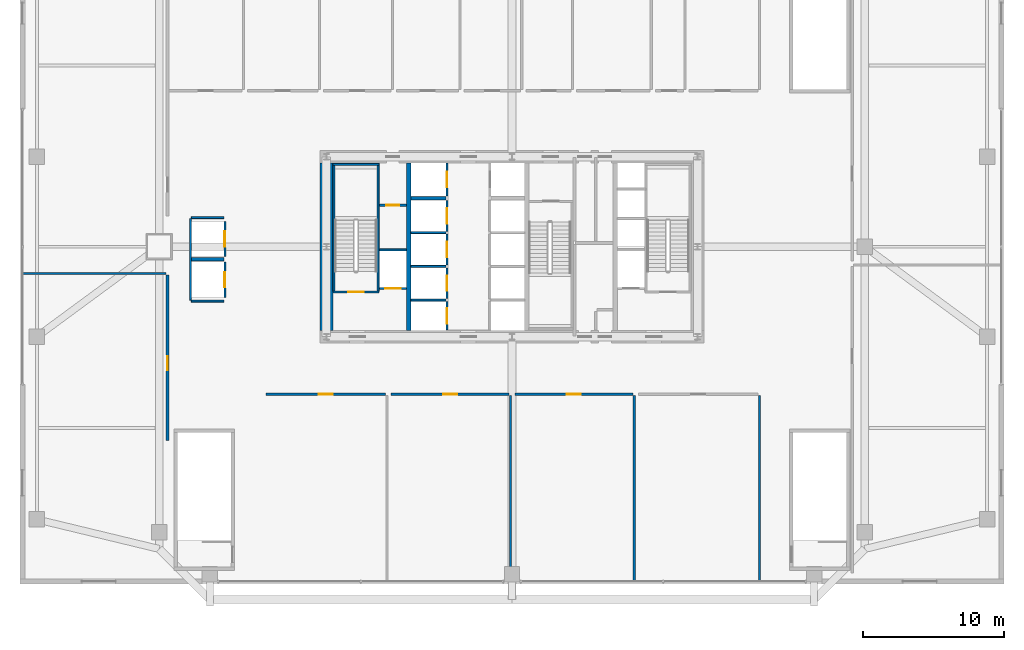
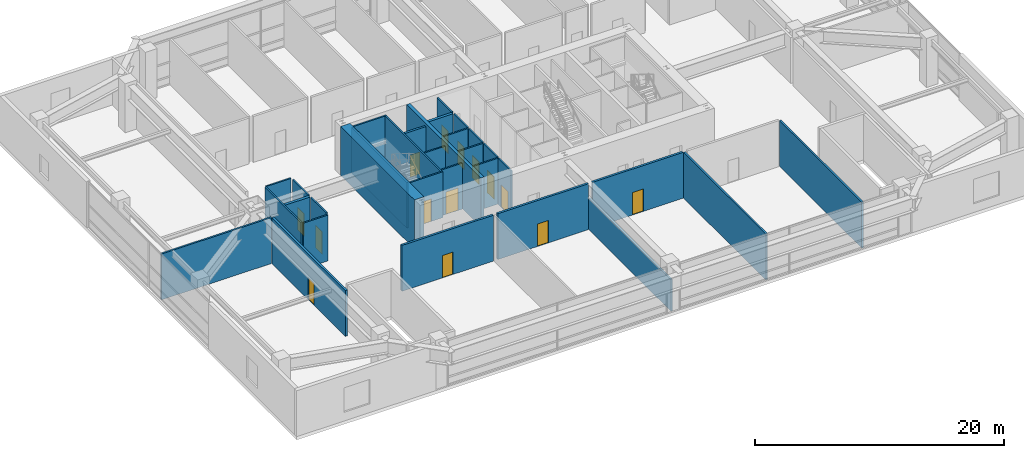
# One storey, part 29 of 34: 32 walls, 14 doors, 14 openings.
"""IFC4 building model written with IfcOpenShell, lengths in metres."""

from ifc_helpers import new_model, si_unit, direction, frame, frame_2d, origin, place, context, subcontext, project, spatial, rectangle, extrude, source, transform, mapped, material, layer, layer_set, type_object, element, fill, save


model = new_model("IFC4")

# Units and contexts
model_context = context("Model", 3, precision=1e-05, world=origin(), true_north=direction((0.0, 1.0)))
body_context = subcontext(model_context, "Body", "Model", "MODEL_VIEW")
ifc_project = project(units=[si_unit("LENGTHUNIT", "METRE"), si_unit("AREAUNIT", "SQUARE_METRE"), si_unit("VOLUMEUNIT", "CUBIC_METRE"), si_unit("PLANEANGLEUNIT", "RADIAN"), si_unit("MASSUNIT", "GRAM", prefix="KILO"), si_unit("THERMODYNAMICTEMPERATUREUNIT", "KELVIN"), si_unit("POWERUNIT", "WATT")], contexts=[model_context])

# Site, building, storey
site_placement = place(None, origin())
site = spatial("IfcSite", under=ifc_project, at=site_placement, CompositionType="ELEMENT")
building_placement = place(site_placement, origin())
building = spatial("IfcBuilding", under=site, at=building_placement, Name="Yuzanri Waterfront Tower", CompositionType="ELEMENT")
storey_placement = place(building_placement, frame((0.0, 0.0, 25.800048828125)))
storey = spatial("IfcBuildingStorey", under=building, at=storey_placement, Name="L06", CompositionType="ELEMENT", Elevation=25.800048828125)

# Wall, opening, door
ifc_material_1 = material(Name="Concrete C40", Category="concrete")
ifc_layer_1 = layer(ifc_material_1, 0.139892578125)
ifc_layer_set_1 = layer_set([ifc_layer_1], Name="Concrete C40")
wall_type_1 = type_object("IfcWallType", Name="Core Stair Liner and Hoistway Shaft Wall 140", PredefinedType="SOLIDWALL", material=ifc_layer_set_1)
wall_1_placement = place(storey_placement, frame((27.56005859375, 22.830078125, 0.0), z_axis=(0.0, 0.0, 1.0), x_axis=(1.0, 0.0, 0.0)))
wall_1 = element("IfcWall", 1, at=wall_1_placement, inside=storey, type_object=wall_type_1, Name="L06 Lift FL-01 Front Shaft Wall", PredefinedType="SOLIDWALL", context=body_context, shape_type="SweptSolid", body=[
    extrude(rectangle(XDim=1.919921875, YDim=0.139892578125, at=frame_2d((0.9599609375, 0.0))), origin(), (0.0, 0.0, 1.0), 4.5),
])
opening_1_placement = place(wall_1_placement, frame((0.409912109375, 0.0, 0.0)))
opening_1 = element("IfcOpeningElement", 2, at=opening_1_placement, cuts=wall_1, Name="Opening LD-FL-01", PredefinedType="OPENING", context=body_context, shape_type="SweptSolid", body=[
    extrude(rectangle(XDim=1.10009765625, YDim=2.199951171875, at=frame_2d((0.550048828125, 1.10009765625))), frame((0.0, 0.0849609375, 0.0), z_axis=(0.0, -1.0, 0.0), x_axis=(1.0, 0.0, 0.0)), (0.0, 0.0, 1.0), 0.169677734375),
])
ifc_material_2 = material(Name="Brushed Bronze and Stainless Steel Cab", Category="steel")
door_type_1 = type_object("IfcDoorType", Name="Center-Parting Bronze Lift Landing Sliding Door 1100x2200", OperationType="NOTDEFINED", PredefinedType="DOOR", material=ifc_material_2)
shared_shape_1 = source(origin(), body_context, "Body", "SweptSolid", [
    extrude(rectangle(XDim=1.10009765625, YDim=2.199951171875, at=frame_2d((0.550048828125, 1.10009765625))), frame((0.0, 0.02490234375, 0.0), z_axis=(0.0, -1.0, 0.0), x_axis=(1.0, 0.0, 0.0)), (0.0, 0.0, 1.0), 0.050048828125),
])
door_1_placement = place(opening_1_placement, origin())
door_1 = element("IfcDoor", 3, at=door_1_placement, inside=storey, type_object=door_type_1, Name="L06 FL-01 Lift Landing Sliding Door", OperationType="SLIDING_TO_LEFT", OverallHeight=2.199951171875, OverallWidth=1.10009765625, PredefinedType="DOOR", context=body_context, shape_type="MappedRepresentation", body=[
    mapped(shared_shape_1, transform((0.0, 0.0, 0.0), scale=1.0)),
])
fill(opening_1, door_1)

wall_2_placement = place(storey_placement, frame((32.3701171875, 19.860107421875, 0.0), z_axis=(0.0, 0.0, 1.0), x_axis=(0.0, 1.0, 0.0)))
wall_2 = element("IfcWall", 4, at=wall_2_placement, inside=storey, type_object=wall_type_1, Name="L06 Lift PL-01 Front Shaft Wall", PredefinedType="SOLIDWALL", context=body_context, shape_type="SweptSolid", body=[
    extrude(rectangle(XDim=2.039794921875, YDim=0.139892578125, at=frame_2d((1.02001953125, 0.0))), origin(), (0.0, 0.0, 1.0), 4.5),
])
opening_2_placement = place(wall_2_placement, frame((0.469970703125, 0.0, 0.0)))
opening_2 = element("IfcOpeningElement", 5, at=opening_2_placement, cuts=wall_2, Name="Opening LD-PL-01", PredefinedType="OPENING", context=body_context, shape_type="SweptSolid", body=[
    extrude(rectangle(XDim=1.10009765625, YDim=2.199951171875, at=frame_2d((0.550048828125, 1.10009765625))), frame((0.0, 0.0849609375, 0.0), z_axis=(0.0, -1.0, 0.0), x_axis=(1.0, 0.0, 0.0)), (0.0, 0.0, 1.0), 0.169677734375),
])
door_2_placement = place(opening_2_placement, origin())
door_2 = element("IfcDoor", 6, at=door_2_placement, inside=storey, type_object=door_type_1, Name="L06 PL-01 Lift Landing Sliding Door", OperationType="SLIDING_TO_LEFT", OverallHeight=2.199951171875, OverallWidth=1.10009765625, PredefinedType="DOOR", context=body_context, shape_type="MappedRepresentation", body=[
    mapped(shared_shape_1, transform((0.0, 0.0, 0.0), scale=1.0)),
])
fill(opening_2, door_2)

wall_3_placement = place(storey_placement, frame((32.3701171875, 22.10009765625, 0.0), z_axis=(0.0, 0.0, 1.0), x_axis=(0.0, 1.0, 0.0)))
wall_3 = element("IfcWall", 7, at=wall_3_placement, inside=storey, type_object=wall_type_1, Name="L06 Lift PL-02 Front Shaft Wall", PredefinedType="SOLIDWALL", context=body_context, shape_type="SweptSolid", body=[
    extrude(rectangle(XDim=2.199951171875, YDim=0.139892578125, at=frame_2d((1.10009765625, 0.0))), origin(), (0.0, 0.0, 1.0), 4.5),
])
opening_3_placement = place(wall_3_placement, frame((0.550048828125, 0.0, 0.0)))
opening_3 = element("IfcOpeningElement", 8, at=opening_3_placement, cuts=wall_3, Name="Opening LD-PL-02", PredefinedType="OPENING", context=body_context, shape_type="SweptSolid", body=[
    extrude(rectangle(XDim=1.10009765625, YDim=2.199951171875, at=frame_2d((0.550048828125, 1.10009765625))), frame((0.0, 0.0849609375, 0.0), z_axis=(0.0, -1.0, 0.0), x_axis=(1.0, 0.0, 0.0)), (0.0, 0.0, 1.0), 0.169677734375),
])
door_3_placement = place(opening_3_placement, origin())
door_3 = element("IfcDoor", 9, at=door_3_placement, inside=storey, type_object=door_type_1, Name="L06 PL-02 Lift Landing Sliding Door", OperationType="SLIDING_TO_RIGHT", OverallHeight=2.199951171875, OverallWidth=1.10009765625, PredefinedType="DOOR", context=body_context, shape_type="MappedRepresentation", body=[
    mapped(shared_shape_1, transform((0.0, 0.0, 0.0), scale=1.0)),
])
fill(opening_3, door_3)

wall_4_placement = place(storey_placement, frame((32.3701171875, 24.5, 0.0), z_axis=(0.0, 0.0, 1.0), x_axis=(0.0, 1.0, 0.0)))
wall_4 = element("IfcWall", 10, at=wall_4_placement, inside=storey, type_object=wall_type_1, Name="L06 Lift PL-03 Front Shaft Wall", PredefinedType="SOLIDWALL", context=body_context, shape_type="SweptSolid", body=[
    extrude(rectangle(XDim=2.199951171875, YDim=0.139892578125, at=frame_2d((1.10009765625, 0.0))), origin(), (0.0, 0.0, 1.0), 4.5),
])
opening_4_placement = place(wall_4_placement, frame((0.550048828125, 0.0, 0.0)))
opening_4 = element("IfcOpeningElement", 11, at=opening_4_placement, cuts=wall_4, Name="Opening LD-PL-03", PredefinedType="OPENING", context=body_context, shape_type="SweptSolid", body=[
    extrude(rectangle(XDim=1.10009765625, YDim=2.199951171875, at=frame_2d((0.550048828125, 1.10009765625))), frame((0.0, 0.0849609375, 0.0), z_axis=(0.0, -1.0, 0.0), x_axis=(1.0, 0.0, 0.0)), (0.0, 0.0, 1.0), 0.169677734375),
])
door_4_placement = place(opening_4_placement, origin())
door_4 = element("IfcDoor", 12, at=door_4_placement, inside=storey, type_object=door_type_1, Name="L06 PL-03 Lift Landing Sliding Door", OperationType="SLIDING_TO_LEFT", OverallHeight=2.199951171875, OverallWidth=1.10009765625, PredefinedType="DOOR", context=body_context, shape_type="MappedRepresentation", body=[
    mapped(shared_shape_1, transform((0.0, 0.0, 0.0), scale=1.0)),
])
fill(opening_4, door_4)

wall_5_placement = place(storey_placement, frame((32.3701171875, 26.89990234375, 0.0), z_axis=(0.0, 0.0, 1.0), x_axis=(0.0, 1.0, 0.0)))
wall_5 = element("IfcWall", 13, at=wall_5_placement, inside=storey, type_object=wall_type_1, Name="L06 Lift PL-04 Front Shaft Wall", PredefinedType="SOLIDWALL", context=body_context, shape_type="SweptSolid", body=[
    extrude(rectangle(XDim=2.2001953125, YDim=0.139892578125, at=frame_2d((1.10009765625, 0.0))), origin(), (0.0, 0.0, 1.0), 4.5),
])
opening_5_placement = place(wall_5_placement, frame((0.550048828125, 0.0, 0.0)))
opening_5 = element("IfcOpeningElement", 14, at=opening_5_placement, cuts=wall_5, Name="Opening LD-PL-04", PredefinedType="OPENING", context=body_context, shape_type="SweptSolid", body=[
    extrude(rectangle(XDim=1.10009765625, YDim=2.199951171875, at=frame_2d((0.550048828125, 1.10009765625))), frame((0.0, 0.0849609375, 0.0), z_axis=(0.0, -1.0, 0.0), x_axis=(1.0, 0.0, 0.0)), (0.0, 0.0, 1.0), 0.169677734375),
])
door_5_placement = place(opening_5_placement, origin())
door_5 = element("IfcDoor", 15, at=door_5_placement, inside=storey, type_object=door_type_1, Name="L06 PL-04 Lift Landing Sliding Door", OperationType="SLIDING_TO_RIGHT", OverallHeight=2.199951171875, OverallWidth=1.10009765625, PredefinedType="DOOR", context=body_context, shape_type="MappedRepresentation", body=[
    mapped(shared_shape_1, transform((0.0, 0.0, 0.0), scale=1.0)),
])
fill(opening_5, door_5)

wall_6_placement = place(storey_placement, frame((32.3701171875, 29.39990234375, 0.0), z_axis=(0.0, 0.0, 1.0), x_axis=(0.0, 1.0, 0.0)))
wall_6 = element("IfcWall", 16, at=wall_6_placement, inside=storey, type_object=wall_type_1, Name="L06 Lift SL-01 Front Shaft Wall", PredefinedType="SOLIDWALL", context=body_context, shape_type="SweptSolid", body=[
    extrude(rectangle(XDim=2.340087890625, YDim=0.139892578125, at=frame_2d((1.169921875, 0.0))), origin(), (0.0, 0.0, 1.0), 4.5),
])
opening_6_placement = place(wall_6_placement, frame((0.6201171875, 0.0, 0.0)))
opening_6 = element("IfcOpeningElement", 17, at=opening_6_placement, cuts=wall_6, Name="Opening LD-SL-01", PredefinedType="OPENING", context=body_context, shape_type="SweptSolid", body=[
    extrude(rectangle(XDim=1.10009765625, YDim=2.199951171875, at=frame_2d((0.550048828125, 1.10009765625))), frame((0.0, 0.0849609375, 0.0), z_axis=(0.0, -1.0, 0.0), x_axis=(1.0, 0.0, 0.0)), (0.0, 0.0, 1.0), 0.169677734375),
])
door_6_placement = place(opening_6_placement, origin())
door_6 = element("IfcDoor", 18, at=door_6_placement, inside=storey, type_object=door_type_1, Name="L06 SL-01 Lift Landing Sliding Door", OperationType="SLIDING_TO_LEFT", OverallHeight=2.199951171875, OverallWidth=1.10009765625, PredefinedType="DOOR", context=body_context, shape_type="MappedRepresentation", body=[
    mapped(shared_shape_1, transform((0.0, 0.0, 0.0), scale=1.0)),
])
fill(opening_6, door_6)

wall_7_placement = place(storey_placement, frame((16.570068359375, 22.199951171875, 0.0), z_axis=(0.0, 0.0, 1.0), x_axis=(0.0, 1.0, 0.0)))
wall_7 = element("IfcWall", 19, at=wall_7_placement, inside=storey, type_object=wall_type_1, Name="L06 Lift RL-01 Front Shaft Wall", PredefinedType="SOLIDWALL", context=body_context, shape_type="SweptSolid", body=[
    extrude(rectangle(XDim=2.5, YDim=0.139892578125, at=frame_2d((1.25, 0.0))), origin(), (0.0, 0.0, 1.0), 4.5),
])
opening_7_placement = place(wall_7_placement, frame((0.699951171875, 0.0, 0.0)))
opening_7 = element("IfcOpeningElement", 20, at=opening_7_placement, cuts=wall_7, Name="Opening LD-RL-01", PredefinedType="OPENING", context=body_context, shape_type="SweptSolid", body=[
    extrude(rectangle(XDim=1.10009765625, YDim=2.199951171875, at=frame_2d((0.550048828125, 1.10009765625))), frame((0.0, 0.0849609375, 0.0), z_axis=(0.0, -1.0, 0.0), x_axis=(1.0, 0.0, 0.0)), (0.0, 0.0, 1.0), 0.169677734375),
])
door_7_placement = place(opening_7_placement, origin())
door_7 = element("IfcDoor", 21, at=door_7_placement, inside=storey, type_object=door_type_1, Name="L06 RL-01 Lift Landing Sliding Door", OperationType="SLIDING_TO_RIGHT", OverallHeight=2.199951171875, OverallWidth=1.10009765625, PredefinedType="DOOR", context=body_context, shape_type="MappedRepresentation", body=[
    mapped(shared_shape_1, transform((0.0, 0.0, 0.0), scale=1.0)),
])
fill(opening_7, door_7)

wall_8_placement = place(storey_placement, frame((16.570068359375, 25.10009765625, 0.0), z_axis=(0.0, 0.0, 1.0), x_axis=(0.0, 1.0, 0.0)))
wall_8 = element("IfcWall", 22, at=wall_8_placement, inside=storey, type_object=wall_type_1, Name="L06 Lift RL-02 Front Shaft Wall", PredefinedType="SOLIDWALL", context=body_context, shape_type="SweptSolid", body=[
    extrude(rectangle(XDim=2.5, YDim=0.139892578125, at=frame_2d((1.25, 0.0))), origin(), (0.0, 0.0, 1.0), 4.5),
])
opening_8_placement = place(wall_8_placement, frame((0.699951171875, 0.0, 0.0)))
opening_8 = element("IfcOpeningElement", 23, at=opening_8_placement, cuts=wall_8, Name="Opening LD-RL-02", PredefinedType="OPENING", context=body_context, shape_type="SweptSolid", body=[
    extrude(rectangle(XDim=1.10009765625, YDim=2.199951171875, at=frame_2d((0.550048828125, 1.10009765625))), frame((0.0, 0.0849609375, 0.0), z_axis=(0.0, -1.0, 0.0), x_axis=(1.0, 0.0, 0.0)), (0.0, 0.0, 1.0), 0.169677734375),
])
door_8_placement = place(opening_8_placement, origin())
door_8 = element("IfcDoor", 24, at=door_8_placement, inside=storey, type_object=door_type_1, Name="L06 RL-02 Lift Landing Sliding Door", OperationType="SLIDING_TO_LEFT", OverallHeight=2.199951171875, OverallWidth=1.10009765625, PredefinedType="DOOR", context=body_context, shape_type="MappedRepresentation", body=[
    mapped(shared_shape_1, transform((0.0, 0.0, 0.0), scale=1.0)),
])
fill(opening_8, door_8)

wall_9_placement = place(storey_placement, frame((24.260009765625, 22.570068359375, 0.0), z_axis=(0.0, 0.0, 1.0), x_axis=(1.0, 0.0, 0.0)))
wall_9 = element("IfcWall", 25, at=wall_9_placement, inside=storey, type_object=wall_type_1, Name="L06 Shaft Wall STW-L06-ST-01-S", PredefinedType="SOLIDWALL", context=body_context, shape_type="SweptSolid", body=[
    extrude(rectangle(XDim=3.280029296875, YDim=0.139892578125, at=frame_2d((1.64013671875, 0.0))), origin(), (0.0, 0.0, 1.0), 4.5),
])
opening_9_placement = place(wall_9_placement, frame((1.090087890625, 0.0, 0.0)))
opening_9 = element("IfcOpeningElement", 26, at=opening_9_placement, cuts=wall_9, Name="Opening FD-1100", PredefinedType="OPENING", context=body_context, shape_type="SweptSolid", body=[
    extrude(rectangle(XDim=1.10009765625, YDim=2.199951171875, at=frame_2d((0.550048828125, 1.10009765625))), frame((0.0, 0.0849609375, 0.0), z_axis=(0.0, -1.0, 0.0), x_axis=(1.0, 0.0, 0.0)), (0.0, 0.0, 1.0), 0.169677734375),
])
ifc_material_3 = material(Name="Painted Galvanized Fire Steel", Category="steel")
door_type_2 = type_object("IfcDoorType", Name="Smoke-Proof Stair and Lobby Fire Door 1100x2200", OperationType="NOTDEFINED", PredefinedType="DOOR", material=ifc_material_3)
shared_shape_2 = source(origin(), body_context, "Body", "SweptSolid", [
    extrude(rectangle(XDim=1.10009765625, YDim=2.199951171875, at=frame_2d((0.550048828125, 1.10009765625))), frame((0.0, 0.02490234375, 0.0), z_axis=(0.0, -1.0, 0.0), x_axis=(1.0, 0.0, 0.0)), (0.0, 0.0, 1.0), 0.050048828125),
])
door_9_placement = place(opening_9_placement, origin())
door_9 = element("IfcDoor", 27, at=door_9_placement, inside=storey, type_object=door_type_2, Name="L06 Stair ST-01 Fire Door", OperationType="SINGLE_SWING_RIGHT", OverallHeight=2.199951171875, OverallWidth=1.10009765625, PredefinedType="DOOR", context=body_context, shape_type="MappedRepresentation", body=[
    mapped(shared_shape_2, transform((0.0, 0.0, 0.0), scale=1.0)),
])
fill(opening_9, door_9)

ifc_material_4 = material(Name="Autoclaved Aerated Concrete Blockwork", Category="masonry")
ifc_layer_2 = layer(ifc_material_4, 0.199951171875)
ifc_layer_set_2 = layer_set([ifc_layer_2], Name="Autoclaved Aerated Concrete Blockwork")
wall_type_2 = type_object("IfcWallType", Name="Corridor and Unit Party Fire Wall 200", PredefinedType="PARTITIONING", material=ifc_layer_set_2)
wall_10_placement = place(storey_placement, frame((27.56005859375, 28.75, 0.0), z_axis=(0.0, 0.0, 1.0), x_axis=(1.0, 0.0, 0.0)))
wall_10 = element("IfcWall", 28, at=wall_10_placement, inside=storey, type_object=wall_type_2, Name="L06 Partition CRW-L06-ERTR", PredefinedType="PARTITIONING", context=body_context, shape_type="SweptSolid", body=[
    extrude(rectangle(XDim=1.919921875, YDim=0.199951171875, at=frame_2d((0.9599609375, 0.0))), origin(), (0.0, 0.0, 1.0), 4.5),
])
opening_10_placement = place(wall_10_placement, frame((0.510009765625, 0.0, 0.0)))
opening_10 = element("IfcOpeningElement", 29, at=opening_10_placement, cuts=wall_10, Name="Opening FD-0900", PredefinedType="OPENING", context=body_context, shape_type="SweptSolid", body=[
    extrude(rectangle(XDim=0.89990234375, YDim=2.14990234375, at=frame_2d((0.449951171875, 1.074951171875))), frame((0.0, 0.11474609375, 0.0), z_axis=(0.0, -1.0, 0.0), x_axis=(1.0, 0.0, 0.0)), (0.0, 0.0, 1.0), 0.229736328125),
])
ifc_material_5 = material(Name="Painted Galvanized Fire Steel", Category="steel")
door_type_3 = type_object("IfcDoorType", Name="Riser and Service Room Fire Door 900x2150", OperationType="NOTDEFINED", PredefinedType="DOOR", material=ifc_material_5)
shared_shape_3 = source(origin(), body_context, "Body", "SweptSolid", [
    extrude(rectangle(XDim=0.89990234375, YDim=2.14990234375, at=frame_2d((0.449951171875, 1.074951171875))), frame((0.0, 0.02490234375, 0.0), z_axis=(0.0, -1.0, 0.0), x_axis=(1.0, 0.0, 0.0)), (0.0, 0.0, 1.0), 0.050048828125),
])
door_10_placement = place(opening_10_placement, origin())
door_10 = element("IfcDoor", 30, at=door_10_placement, inside=storey, type_object=door_type_3, Name="L06 Electrical Riser Door", OperationType="SINGLE_SWING_RIGHT", OverallHeight=2.14990234375, OverallWidth=0.89990234375, PredefinedType="DOOR", context=body_context, shape_type="MappedRepresentation", body=[
    mapped(shared_shape_3, transform((0.0, 0.0, 0.0), scale=1.0)),
])
fill(opening_10, door_10)

wall_11_placement = place(storey_placement, frame((19.5, 15.300048828125, 0.0), z_axis=(0.0, 0.0, 1.0), x_axis=(1.0, 0.0, 0.0)))
wall_11 = element("IfcWall", 31, at=wall_11_placement, inside=storey, type_object=wall_type_2, Name="L06 Partition PRW-L06-027-N", PredefinedType="PARTITIONING", context=body_context, shape_type="SweptSolid", body=[
    extrude(rectangle(XDim=8.5, YDim=0.199951171875, at=frame_2d((4.25, 0.0))), origin(), (0.0, 0.0, 1.0), 4.5),
])
opening_11_placement = place(wall_11_placement, frame((3.75, 0.0, 0.0)))
opening_11 = element("IfcOpeningElement", 32, at=opening_11_placement, cuts=wall_11, Name="Opening FD-1000", PredefinedType="OPENING", context=body_context, shape_type="SweptSolid", body=[
    extrude(rectangle(XDim=1.0, YDim=2.199951171875, at=frame_2d((0.5, 1.10009765625))), frame((0.0, 0.11474609375, 0.0), z_axis=(0.0, -1.0, 0.0), x_axis=(1.0, 0.0, 0.0)), (0.0, 0.0, 1.0), 0.229736328125),
])
ifc_material_6 = material(Name="Engineered Oak Fire-Rated Timber", Category="wood")
door_type_4 = type_object("IfcDoorType", Name="Guestroom and Apartment Entrance Fire Door 1000x2200", OperationType="NOTDEFINED", PredefinedType="DOOR", material=ifc_material_6)
shared_shape_4 = source(origin(), body_context, "Body", "SweptSolid", [
    extrude(rectangle(XDim=1.0, YDim=2.199951171875, at=frame_2d((0.5, 1.10009765625))), frame((0.0, 0.02490234375, 0.0), z_axis=(0.0, -1.0, 0.0), x_axis=(1.0, 0.0, 0.0)), (0.0, 0.0, 1.0), 0.050048828125),
])
door_11_placement = place(opening_11_placement, origin())
door_11 = element("IfcDoor", 33, at=door_11_placement, inside=storey, type_object=door_type_4, Name="L06 Executive Lecture Hall", OperationType="SINGLE_SWING_LEFT", OverallHeight=2.199951171875, OverallWidth=1.0, PredefinedType="DOOR", context=body_context, shape_type="MappedRepresentation", body=[
    mapped(shared_shape_4, transform((0.0, 0.0, 0.0), scale=1.0)),
])
fill(opening_11, door_11)

wall_12_placement = place(storey_placement, frame((28.39990234375, 15.300048828125, 0.0), z_axis=(0.0, 0.0, 1.0), x_axis=(1.0, 0.0, 0.0)))
wall_12 = element("IfcWall", 34, at=wall_12_placement, inside=storey, type_object=wall_type_2, Name="L06 Partition PRW-L06-028-N", PredefinedType="PARTITIONING", context=body_context, shape_type="SweptSolid", body=[
    extrude(rectangle(XDim=8.400146484375, YDim=0.199951171875, at=frame_2d((4.2001953125, 0.0))), origin(), (0.0, 0.0, 1.0), 4.5),
])
opening_12_placement = place(wall_12_placement, frame((3.699951171875, 0.0, 0.0)))
opening_12 = element("IfcOpeningElement", 35, at=opening_12_placement, cuts=wall_12, Name="Opening FD-1000", PredefinedType="OPENING", context=body_context, shape_type="SweptSolid", body=[
    extrude(rectangle(XDim=1.0, YDim=2.199951171875, at=frame_2d((0.5, 1.10009765625))), frame((0.0, 0.11474609375, 0.0), z_axis=(0.0, -1.0, 0.0), x_axis=(1.0, 0.0, 0.0)), (0.0, 0.0, 1.0), 0.229736328125),
])
door_12_placement = place(opening_12_placement, origin())
door_12 = element("IfcDoor", 36, at=door_12_placement, inside=storey, type_object=door_type_4, Name="L06 Yangtze Boardroom", OperationType="SINGLE_SWING_RIGHT", OverallHeight=2.199951171875, OverallWidth=1.0, PredefinedType="DOOR", context=body_context, shape_type="MappedRepresentation", body=[
    mapped(shared_shape_4, transform((0.0, 0.0, 0.0), scale=1.0)),
])
fill(opening_12, door_12)

wall_13_placement = place(storey_placement, frame((37.199951171875, 15.300048828125, 0.0), z_axis=(0.0, 0.0, 1.0), x_axis=(1.0, 0.0, 0.0)))
wall_13 = element("IfcWall", 37, at=wall_13_placement, inside=storey, type_object=wall_type_2, Name="L06 Partition PRW-L06-029-N", PredefinedType="PARTITIONING", context=body_context, shape_type="SweptSolid", body=[
    extrude(rectangle(XDim=8.400146484375, YDim=0.199951171875, at=frame_2d((4.2001953125, 0.0))), origin(), (0.0, 0.0, 1.0), 4.5),
])
opening_13_placement = place(wall_13_placement, frame((3.699951171875, 0.0, 0.0)))
opening_13 = element("IfcOpeningElement", 38, at=opening_13_placement, cuts=wall_13, Name="Opening FD-1000", PredefinedType="OPENING", context=body_context, shape_type="SweptSolid", body=[
    extrude(rectangle(XDim=1.0, YDim=2.199951171875, at=frame_2d((0.5, 1.10009765625))), frame((0.0, 0.11474609375, 0.0), z_axis=(0.0, -1.0, 0.0), x_axis=(1.0, 0.0, 0.0)), (0.0, 0.0, 1.0), 0.229736328125),
])
door_13_placement = place(opening_13_placement, origin())
door_13 = element("IfcDoor", 39, at=door_13_placement, inside=storey, type_object=door_type_4, Name="L06 Jialing Boardroom", OperationType="SINGLE_SWING_LEFT", OverallHeight=2.199951171875, OverallWidth=1.0, PredefinedType="DOOR", context=body_context, shape_type="MappedRepresentation", body=[
    mapped(shared_shape_4, transform((0.0, 0.0, 0.0), scale=1.0)),
])
fill(opening_13, door_13)

wall_14_placement = place(storey_placement, frame((12.5, 12.0, 0.0), z_axis=(0.0, 0.0, 1.0), x_axis=(0.0, 1.0, 0.0)))
wall_14 = element("IfcWall", 40, at=wall_14_placement, inside=storey, type_object=wall_type_2, Name="L06 Partition PRW-L06-031-E", PredefinedType="PARTITIONING", context=body_context, shape_type="SweptSolid", body=[
    extrude(rectangle(XDim=11.800048828125, YDim=0.199951171875, at=frame_2d((5.89990234375, 0.0))), origin(), (0.0, 0.0, 1.0), 4.5),
])
opening_14_placement = place(wall_14_placement, frame((5.0, 0.0, 0.0)))
opening_14 = element("IfcOpeningElement", 41, at=opening_14_placement, cuts=wall_14, Name="Opening FD-1000", PredefinedType="OPENING", context=body_context, shape_type="SweptSolid", body=[
    extrude(rectangle(XDim=1.0, YDim=2.199951171875, at=frame_2d((0.5, 1.10009765625))), frame((0.0, 0.11474609375, 0.0), z_axis=(0.0, -1.0, 0.0), x_axis=(1.0, 0.0, 0.0)), (0.0, 0.0, 1.0), 0.229736328125),
])
door_14_placement = place(opening_14_placement, origin())
door_14 = element("IfcDoor", 42, at=door_14_placement, inside=storey, type_object=door_type_4, Name="L06 West Syndicate Meeting Room 1", OperationType="SINGLE_SWING_LEFT", OverallHeight=2.199951171875, OverallWidth=1.0, PredefinedType="DOOR", context=body_context, shape_type="MappedRepresentation", body=[
    mapped(shared_shape_4, transform((0.0, 0.0, 0.0), scale=1.0)),
])
fill(opening_14, door_14)

# Walls
ifc_material_7 = material(Name="Concrete C60", Category="concrete")
ifc_layer_3 = layer(ifc_material_7, 0.89990234375)
ifc_layer_set_3 = layer_set([ifc_layer_3], Name="Concrete C60")
wall_type_3 = type_object("IfcWallType", Name="Concrete C60 Lower Zone Core Shear Wall 900", PredefinedType="SHEAR", material=ifc_layer_set_3)
shared_shape_5 = source(origin(), body_context, "Body", "SweptSolid", [
    extrude(rectangle(XDim=11.89990234375, YDim=0.89990234375, at=frame_2d((5.949951171875, 0.0))), origin(), (0.0, 0.0, 1.0), 4.800048828125),
])
wall_15_placement = place(storey_placement, frame((23.800048828125, 19.85009765625, 0.0), z_axis=(0.0, 0.0, 1.0), x_axis=(0.0, 1.0, 0.0)))
element("IfcWall", 43, at=wall_15_placement, inside=storey, type_object=wall_type_3, Name="L06 Core West Shear Wall", PredefinedType="SHEAR", context=body_context, shape_type="MappedRepresentation", body=[
    mapped(shared_shape_5, transform((0.0, 0.0, 0.0), scale=1.0)),
])
ifc_material_8 = material(Name="Concrete C50", Category="concrete")
ifc_layer_4 = layer(ifc_material_8, 0.300048828125)
ifc_layer_set_4 = layer_set([ifc_layer_4], Name="Concrete C50")
wall_type_4 = type_object("IfcWallType", Name="Concrete C50 Internal Core Shaft Structural Wall 300", PredefinedType="SOLIDWALL", material=ifc_layer_set_4)
shared_shape_6 = source(origin(), body_context, "Body", "SweptSolid", [
    extrude(rectangle(XDim=11.89990234375, YDim=0.300048828125, at=frame_2d((5.949951171875, 0.0))), origin(), (0.0, 0.0, 1.0), 4.800048828125),
])
wall_16_placement = place(storey_placement, frame((29.64990234375, 19.85009765625, 0.0), z_axis=(0.0, 0.0, 1.0), x_axis=(0.0, 1.0, 0.0)))
element("IfcWall", 44, at=wall_16_placement, inside=storey, type_object=wall_type_4, Name="L06 Core Internal Structural Web Wall 1", PredefinedType="SOLIDWALL", context=body_context, shape_type="MappedRepresentation", body=[
    mapped(shared_shape_6, transform((0.0, 0.0, 0.0), scale=1.0)),
])
shared_shape_7 = source(origin(), body_context, "Body", "SweptSolid", [
    extrude(rectangle(XDim=1.919921875, YDim=0.139892578125, at=frame_2d((0.9599609375, 0.0))), origin(), (0.0, 0.0, 1.0), 4.5),
])
wall_17_placement = place(storey_placement, frame((27.56005859375, 25.570068359375, 0.0), z_axis=(0.0, 0.0, 1.0), x_axis=(1.0, 0.0, 0.0)))
element("IfcWall", 45, at=wall_17_placement, inside=storey, type_object=wall_type_1, Name="L06 Lift FL-01 Back Shaft Wall", PredefinedType="SOLIDWALL", context=body_context, shape_type="MappedRepresentation", body=[
    mapped(shared_shape_7, transform((0.0, 0.0, 0.0), scale=1.0)),
])
shared_shape_8 = source(origin(), body_context, "Body", "SweptSolid", [
    extrude(rectangle(XDim=2.5, YDim=0.139892578125, at=frame_2d((1.25, 0.0))), origin(), (0.0, 0.0, 1.0), 4.5),
])
for number, where, z_axis, x_axis, name in (
    (46, (29.800048828125, 22.0, 0.0), (0.0, 0.0, 1.0), (1.0, 0.0, 0.0), "L06 Lift PL-01 Divider Wall"),
    (47, (29.800048828125, 24.39990234375, 0.0), (0.0, 0.0, 1.0), (1.0, 0.0, 0.0), "L06 Lift PL-02 Divider Wall"),
    (48, (29.800048828125, 26.800048828125, 0.0), (0.0, 0.0, 1.0), (1.0, 0.0, 0.0), "L06 Lift PL-03 Divider Wall"),
):
    element("IfcWall", number, at=place(storey_placement, frame(where, z_axis=z_axis, x_axis=x_axis)), inside=storey, type_object=wall_type_1, Name=name, PredefinedType="SOLIDWALL", context=body_context, shape_type="MappedRepresentation", body=[
        mapped(shared_shape_8, transform((0.0, 0.0, 0.0), scale=1.0)),
    ])
ifc_material_9 = material(Name="Concrete C40", Category="concrete")
ifc_layer_5 = layer(ifc_material_9, 0.25)
ifc_layer_set_5 = layer_set([ifc_layer_5], Name="Concrete C40")
wall_type_5 = type_object("IfcWallType", Name="Smoke-Proof Stair and Lift Shaft Wall 250", PredefinedType="SOLIDWALL", material=ifc_layer_set_5)
shared_shape_9 = source(origin(), body_context, "Body", "SweptSolid", [
    extrude(rectangle(XDim=2.5, YDim=0.25, at=frame_2d((1.25, 0.0))), origin(), (0.0, 0.0, 1.0), 4.5),
])
wall_18_placement = place(storey_placement, frame((29.800048828125, 29.25, 0.0), z_axis=(0.0, 0.0, 1.0), x_axis=(1.0, 0.0, 0.0)))
element("IfcWall", 49, at=wall_18_placement, inside=storey, type_object=wall_type_5, Name="L06 Lift SL-01 South Shaft Wall", PredefinedType="SOLIDWALL", context=body_context, shape_type="MappedRepresentation", body=[
    mapped(shared_shape_9, transform((0.0, 0.0, 0.0), scale=1.0)),
])
shared_shape_10 = source(origin(), body_context, "Body", "SweptSolid", [
    extrude(rectangle(XDim=2.300048828125, YDim=0.25, at=frame_2d((1.14990234375, 0.0))), origin(), (0.0, 0.0, 1.0), 4.5),
])
wall_19_placement = place(storey_placement, frame((14.199951171875, 24.89990234375, 0.0), z_axis=(0.0, 0.0, 1.0), x_axis=(1.0, 0.0, 0.0)))
element("IfcWall", 50, at=wall_19_placement, inside=storey, type_object=wall_type_5, Name="L06 Lift RL-01 Divider Wall", PredefinedType="SOLIDWALL", context=body_context, shape_type="MappedRepresentation", body=[
    mapped(shared_shape_10, transform((0.0, 0.0, 0.0), scale=1.0)),
])
shared_shape_11 = source(origin(), body_context, "Body", "SweptSolid", [
    extrude(rectangle(XDim=5.800048828125, YDim=0.139892578125, at=frame_2d((2.89990234375, 0.0))), origin(), (0.0, 0.0, 1.0), 4.5),
])
wall_20_placement = place(storey_placement, frame((14.1298828125, 22.0, 0.0), z_axis=(0.0, 0.0, 1.0), x_axis=(0.0, 1.0, 0.0)))
element("IfcWall", 51, at=wall_20_placement, inside=storey, type_object=wall_type_1, Name="L06 Retail Lift West Shaft Wall", PredefinedType="SOLIDWALL", context=body_context, shape_type="MappedRepresentation", body=[
    mapped(shared_shape_11, transform((0.0, 0.0, 0.0), scale=1.0)),
])
shared_shape_12 = source(origin(), body_context, "Body", "SweptSolid", [
    extrude(rectangle(XDim=2.300048828125, YDim=0.139892578125, at=frame_2d((1.14990234375, 0.0))), origin(), (0.0, 0.0, 1.0), 4.5),
])
for number, where, z_axis, x_axis, name in (
    (52, (14.199951171875, 21.929931640625, 0.0), (0.0, 0.0, 1.0), (1.0, 0.0, 0.0), "L06 Retail Lift South Shaft Wall"),
    (53, (14.199951171875, 27.8701171875, 0.0), (0.0, 0.0, 1.0), (1.0, 0.0, 0.0), "L06 Retail Lift North Shaft Wall"),
):
    element("IfcWall", number, at=place(storey_placement, frame(where, z_axis=z_axis, x_axis=x_axis)), inside=storey, type_object=wall_type_1, Name=name, PredefinedType="SOLIDWALL", context=body_context, shape_type="MappedRepresentation", body=[
        mapped(shared_shape_12, transform((0.0, 0.0, 0.0), scale=1.0)),
    ])
shared_shape_13 = source(origin(), body_context, "Body", "SweptSolid", [
    extrude(rectangle(XDim=3.280029296875, YDim=0.139892578125, at=frame_2d((1.64013671875, 0.0))), origin(), (0.0, 0.0, 1.0), 4.5),
])
wall_21_placement = place(storey_placement, frame((24.260009765625, 31.64990234375, 0.0), z_axis=(0.0, 0.0, 1.0), x_axis=(1.0, 0.0, 0.0)))
element("IfcWall", 54, at=wall_21_placement, inside=storey, type_object=wall_type_1, Name="L06 Stair ST-01 North Shaft Wall", PredefinedType="SOLIDWALL", context=body_context, shape_type="MappedRepresentation", body=[
    mapped(shared_shape_13, transform((0.0, 0.0, 0.0), scale=1.0)),
])
shared_shape_14 = source(origin(), body_context, "Body", "SweptSolid", [
    extrude(rectangle(XDim=8.940185546875, YDim=0.139892578125, at=frame_2d((4.47021484375, 0.0))), origin(), (0.0, 0.0, 1.0), 4.5),
])
for number, where, z_axis, x_axis, name in (
    (55, (24.330078125, 22.639892578125, 0.0), (0.0, 0.0, 1.0), (0.0, 1.0, 0.0), "L06 Stair ST-01 West Shaft Wall"),
    (56, (27.469970703125, 22.639892578125, 0.0), (0.0, 0.0, 1.0), (0.0, 1.0, 0.0), "L06 Stair ST-01 East Shaft Wall"),
):
    element("IfcWall", number, at=place(storey_placement, frame(where, z_axis=z_axis, x_axis=x_axis)), inside=storey, type_object=wall_type_1, Name=name, PredefinedType="SOLIDWALL", context=body_context, shape_type="MappedRepresentation", body=[
        mapped(shared_shape_14, transform((0.0, 0.0, 0.0), scale=1.0)),
    ])
ifc_material_10 = material(Name="Gypsum Fireboard Acoustic Stud Wall", Category="gypsum")
ifc_layer_6 = layer(ifc_material_10, 0.159912109375)
ifc_layer_set_6 = layer_set([ifc_layer_6], Name="Gypsum Fireboard Acoustic Stud Wall")
wall_type_6 = type_object("IfcWallType", Name="Acoustic Suite Demising Partition 160", PredefinedType="PARTITIONING", material=ifc_layer_set_6)
shared_shape_15 = source(origin(), body_context, "Body", "SweptSolid", [
    extrude(rectangle(XDim=13.219970703125, YDim=0.159912109375, at=frame_2d((6.60986328125, 0.0))), origin(), (0.0, 0.0, 1.0), 4.5),
])
for number, where, z_axis, x_axis, name in (
    (57, (45.699951171875, 1.97998046875, 0.0), (0.0, 0.0, 1.0), (0.0, 1.0, 0.0), "L06-029 Demising Wall"),
    (58, (54.60009765625, 1.97998046875, 0.0), (0.0, 0.0, 1.0), (0.0, 1.0, 0.0), "L06-030 Demising Wall"),
):
    element("IfcWall", number, at=place(storey_placement, frame(where, z_axis=z_axis, x_axis=x_axis)), inside=storey, type_object=wall_type_6, Name=name, PredefinedType="PARTITIONING", context=body_context, shape_type="MappedRepresentation", body=[
        mapped(shared_shape_15, transform((0.0, 0.0, 0.0), scale=1.0)),
    ])
shared_shape_16 = source(origin(), body_context, "Body", "SweptSolid", [
    extrude(rectangle(XDim=13.219970703125, YDim=0.159912109375, at=frame_2d((6.60986328125, 0.0))), origin(), (0.0, 0.0, 1.0), 3.094970703125),
])
wall_22_placement = place(storey_placement, frame((36.89990234375, 1.97998046875, 0.0), z_axis=(0.0, 0.0, 1.0), x_axis=(0.0, 1.0, 0.0)))
element("IfcWall", 59, at=wall_22_placement, inside=storey, type_object=wall_type_6, Name="L06-028 Demising Wall", PredefinedType="PARTITIONING", context=body_context, shape_type="MappedRepresentation", body=[
    mapped(shared_shape_16, transform((0.0, 0.0, 0.0), scale=1.0)),
])
shared_shape_17 = source(origin(), body_context, "Body", "SweptSolid", [
    extrude(rectangle(XDim=10.219970703125, YDim=0.159912109375, at=frame_2d((5.10986328125, 0.0))), origin(), (0.0, 0.0, 1.0), 4.5),
])
wall_23_placement = place(storey_placement, frame((2.179931640625, 23.89990234375, 0.0), z_axis=(0.0, 0.0, 1.0), x_axis=(1.0, 0.0, 0.0)))
element("IfcWall", 60, at=wall_23_placement, inside=storey, type_object=wall_type_6, Name="L06-031 North Partition", PredefinedType="PARTITIONING", context=body_context, shape_type="MappedRepresentation", body=[
    mapped(shared_shape_17, transform((0.0, 0.0, 0.0), scale=1.0)),
])

save(model, "model.ifc")
